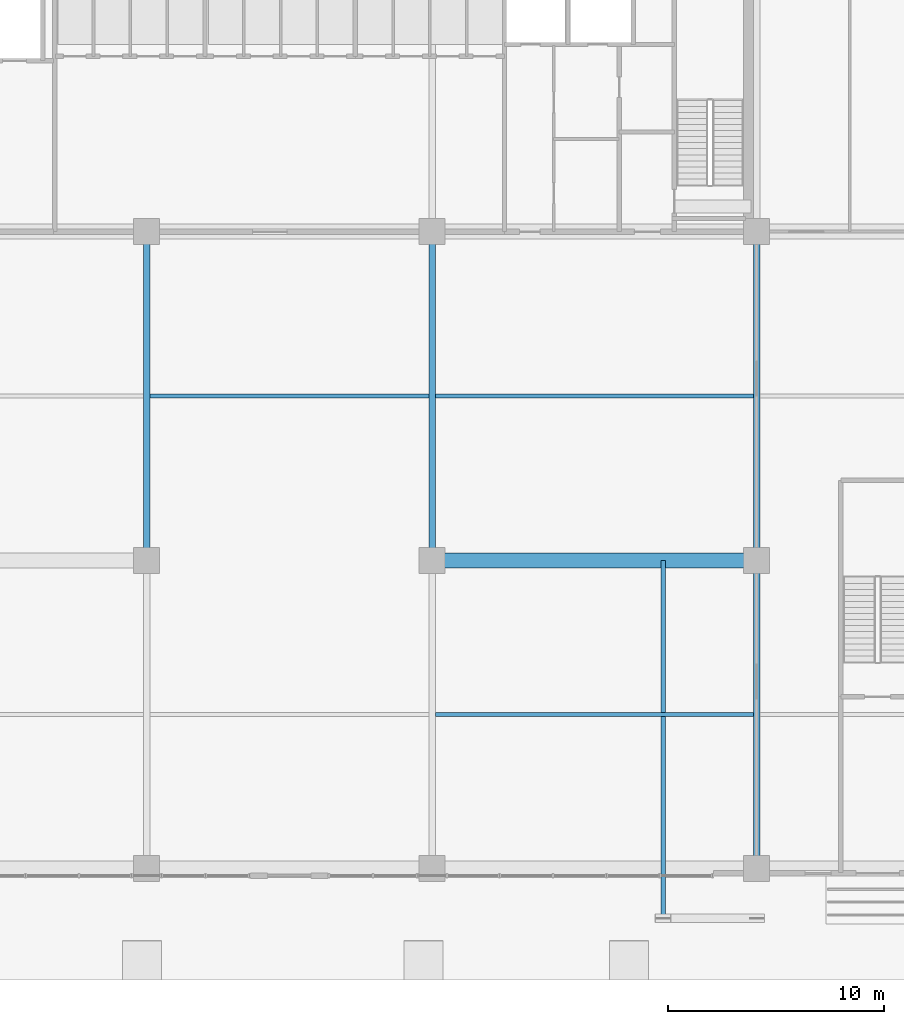
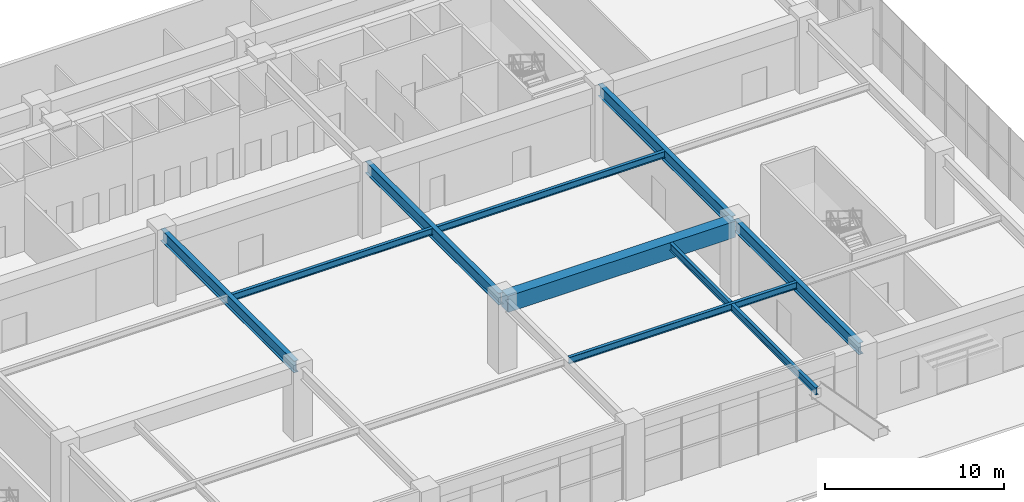
# One storey, part 13 of 40: 9 beams.
"""IFC4 building model written with IfcOpenShell, lengths in metres."""

import ifcopenshell
import ifcopenshell.guid

model = None  # the IFC model being written
_history = None  # IfcOwnerHistory: only IFC2X3 demands one
_inside = {}  # id of a spatial element -> (the spatial element, [elements in it])
_under = {}  # id of a project, library or spatial element -> (it, [spatial elements below it])
_declared = {}  # id of a project -> (the project, [libraries it declares])
_typed = {}  # id of a type object -> (the type object, [elements of that type])
_made_of = {}  # id of a material, layer set ... -> (it, [elements and type objects made of it])


def new_model(schema):
    """Start an empty IFC model of exactly this schema.

    Asked for "IFC4X3", IfcOpenShell would pick the latest addendum, in which some entities
    have other attributes; the version numbers below select the first issue.
    IFC2X3 requires an IfcOwnerHistory on every rooted entity: one is made here for all.
    """
    global model, _history
    if schema == "IFC4X3":
        model = ifcopenshell.file(schema_version=(4, 3, 0, 0))
    else:
        model = ifcopenshell.file(schema=schema)
    _inside.clear()
    _under.clear()
    _declared.clear()
    _typed.clear()
    _made_of.clear()
    _history = None
    if model.schema == "IFC2X3":
        org = make("IfcOrganization", Name="unknown")
        user = make(
            "IfcPersonAndOrganization",
            ThePerson=make("IfcPerson", FamilyName="unknown"),
            TheOrganization=org,
        )
        app = make(
            "IfcApplication",
            ApplicationDeveloper=org,
            Version="unknown",
            ApplicationFullName="unknown",
            ApplicationIdentifier="unknown",
        )
        _history = make(
            "IfcOwnerHistory",
            OwningUser=user,
            OwningApplication=app,
            ChangeAction="ADDED",
            CreationDate=0,
        )
    return model


def make(cls, **values):
    """One entity of the class cls with the attributes given. An attribute that is None is left unset."""
    return model.create_entity(
        cls, **{name: value for name, value in values.items() if value is not None}
    )


def rooted(cls, **values):
    """An entity with a GlobalId (a new one), such as an element, a storey or a relation."""
    return make(cls, GlobalId=ifcopenshell.guid.new(), OwnerHistory=_history, **values)


def si_unit(unit_type, name, prefix=None):
    """IfcSIUnit, for example si_unit("LENGTHUNIT", "METRE", prefix="MILLI")."""
    return make("IfcSIUnit", UnitType=unit_type, Prefix=prefix, Name=name)


def assignment(units):
    """IfcUnitAssignment: the units of a project."""
    return None if units is None else make("IfcUnitAssignment", Units=units)


def point(xyz):
    """IfcCartesianPoint."""
    return None if xyz is None else make("IfcCartesianPoint", Coordinates=xyz)


def direction(xyz):
    """IfcDirection."""
    return None if xyz is None else make("IfcDirection", DirectionRatios=xyz)


def frame(location, z_axis=None, x_axis=None):
    """IfcAxis2Placement3D, a coordinate frame: its origin and axes. An axis left out is left unset."""
    return make(
        "IfcAxis2Placement3D",
        Location=point(location),
        Axis=direction(z_axis),
        RefDirection=direction(x_axis),
    )


def frame_2d(location, x_axis=None):
    """IfcAxis2Placement2D, a coordinate frame in the plane: its origin and x axis."""
    return make(
        "IfcAxis2Placement2D", Location=point(location), RefDirection=direction(x_axis)
    )


def origin():
    """The frame at (0, 0, 0) with its axes left unset."""
    return frame((0.0, 0.0, 0.0))


def origin_2d():
    """The frame at (0, 0) in the plane with its x axis left unset."""
    return frame_2d((0.0, 0.0))


def place(relative_to, where):
    """IfcLocalPlacement: puts the frame where relative to a parent placement (None: the world)."""
    return make(
        "IfcLocalPlacement", PlacementRelTo=relative_to, RelativePlacement=where
    )


def context(
    kind, dimensions, precision=None, world=None, true_north=None, identifier=None
):
    """IfcGeometricRepresentationContext, for example the 3D "Model" context."""
    return make(
        "IfcGeometricRepresentationContext",
        ContextIdentifier=identifier,
        ContextType=kind,
        CoordinateSpaceDimension=dimensions,
        Precision=precision,
        WorldCoordinateSystem=world,
        TrueNorth=true_north,
    )


def subcontext(parent, identifier, kind, view, scale=None):
    """IfcGeometricRepresentationSubContext, for example "Body" below "Model"."""
    return make(
        "IfcGeometricRepresentationSubContext",
        ContextIdentifier=identifier,
        ContextType=kind,
        ParentContext=parent,
        TargetScale=scale,
        TargetView=view,
    )


def project(units=None, contexts=None):
    """IfcProject with its units and contexts."""
    return rooted(
        "IfcProject",
        Name="project",
        RepresentationContexts=contexts,
        UnitsInContext=assignment(units),
    )


def spatial(cls, under=None, at=None, **own):
    """A site, building, storey or space (cls), placed at a placement, below another one or the project."""
    s = rooted(cls, ObjectPlacement=at, **own)
    if under is not None:
        _under.setdefault(under.id(), (under, []))[1].append(s)
    return s


def profile(cls, at=None, kind="AREA", **sizes):
    """A parametric profile (cls). Its sizes go by their IFC names, for example OverallWidth=200.0."""
    return make(cls, ProfileType=kind, Position=at, **sizes)


def rectangle(**sizes):
    """IfcRectangleProfileDef."""
    return profile("IfcRectangleProfileDef", **sizes)


def i_section(**sizes):
    """IfcIShapeProfileDef."""
    return profile("IfcIShapeProfileDef", **sizes)


def extrude(swept, where, along, depth):
    """IfcExtrudedAreaSolid: the profile swept, set in the frame where, extruded along a direction by depth."""
    return make(
        "IfcExtrudedAreaSolid",
        SweptArea=swept,
        Position=where,
        ExtrudedDirection=direction(along),
        Depth=depth,
    )


def shape(context_of_items, identifier, shape_type, items):
    """IfcShapeRepresentation: the items that make up one representation, for example the "Body"."""
    return make(
        "IfcShapeRepresentation",
        ContextOfItems=context_of_items,
        RepresentationIdentifier=identifier,
        RepresentationType=shape_type,
        Items=items,
    )


def source(mapping_origin, context_of_items, identifier, shape_type, items):
    """IfcRepresentationMap: a shape defined once, which mapped items show again and again."""
    return make(
        "IfcRepresentationMap",
        MappingOrigin=mapping_origin,
        MappedRepresentation=shape(context_of_items, identifier, shape_type, items),
    )


def transform(
    local_origin,
    x_axis=None,
    y_axis=None,
    z_axis=None,
    scale=None,
    scale2=None,
    scale3=None,
    uniform=True,
):
    """IfcCartesianTransformationOperator3D, or its non-uniform kind. x_axis, y_axis, z_axis: its Axis1, 2, 3."""
    if uniform:
        return make(
            "IfcCartesianTransformationOperator3D",
            Axis1=direction(x_axis),
            Axis2=direction(y_axis),
            LocalOrigin=point(local_origin),
            Scale=scale,
            Axis3=direction(z_axis),
        )
    return make(
        "IfcCartesianTransformationOperator3DnonUniform",
        Axis1=direction(x_axis),
        Axis2=direction(y_axis),
        LocalOrigin=point(local_origin),
        Scale=scale,
        Axis3=direction(z_axis),
        Scale2=scale2,
        Scale3=scale3,
    )


def mapped(mapping_source, mapping_target):
    """IfcMappedItem: shows the shape of a source again, moved by a transform."""
    return make(
        "IfcMappedItem", MappingSource=mapping_source, MappingTarget=mapping_target
    )


def material(Name=None, Category=None):
    """IfcMaterial."""
    return make("IfcMaterial", Name=Name, Category=Category)


def material_profile(
    of_material, cross_section, Name=None, Category=None, Priority=None
):
    """IfcMaterialProfile: a cross section and its material."""
    return make(
        "IfcMaterialProfile",
        Name=Name,
        Material=of_material,
        Profile=cross_section,
        Priority=Priority,
        Category=Category,
    )


def profile_set(profiles, Name=None, composite=None):
    """IfcMaterialProfileSet."""
    return make(
        "IfcMaterialProfileSet",
        Name=Name,
        MaterialProfiles=profiles,
        CompositeProfile=composite,
    )


def made_of(thing, what):
    """Note that an element or type object is made of a material, layer set ...; save() writes the relation."""
    if what is not None:
        _made_of.setdefault(what.id(), (what, []))[1].append(thing)
    return thing


def type_object(cls, material=None, **own):
    """A type object (cls), such as IfcWallType, which elements share."""
    return made_of(rooted(cls, **own), material)


def element(
    cls,
    number,
    at=None,
    inside=None,
    cuts=None,
    type_object=None,
    material=None,
    context=None,
    identifier="Body",
    shape_type=None,
    held_by="IfcProductDefinitionShape",
    body=None,
    shapes=None,
    **own,
):
    """One element of the class cls, such as IfcWall. Its Tag is "e" and its number.

    at: its placement. inside: the storey or other place that contains it. cuts: it is an
    opening in that element (IfcRelVoidsElement). A single representation is given by context,
    identifier, shape_type and body (its items); several are given by shapes. held_by: the class
    of the entity that holds the representations. save() writes the other relations.
    """
    e = rooted(cls, Tag="e%d" % number, ObjectPlacement=at, **own)
    if body is not None:
        shapes = [shape(context, identifier, shape_type, body)]
    if shapes is not None:
        e.Representation = make(held_by, Representations=shapes)
    if inside is not None:
        _inside.setdefault(inside.id(), (inside, []))[1].append(e)
    if cuts is not None:
        rooted(
            "IfcRelVoidsElement", RelatingBuildingElement=cuts, RelatedOpeningElement=e
        )
    if type_object is not None:
        _typed.setdefault(type_object.id(), (type_object, []))[1].append(e)
    return made_of(e, material)


def aggregate(whole, parts):
    """IfcRelAggregates: a whole, such as a stair, and the parts it consists of."""
    return rooted("IfcRelAggregates", RelatingObject=whole, RelatedObjects=parts)


def save(model, path):
    """Write the relations noted so far, then the file.

    IfcRelAggregates (storeys below a building ...), IfcRelContainedInSpatialStructure (elements
    in a storey), IfcRelDefinesByType, IfcRelAssociatesMaterial and IfcRelDeclares: one each for
    every whole, place, type object, material and project.
    """
    for whole, parts in _under.values():
        aggregate(whole, parts)
    for where, things in _inside.values():
        rooted(
            "IfcRelContainedInSpatialStructure",
            RelatedElements=things,
            RelatingStructure=where,
        )
    for kind, things in _typed.values():
        rooted("IfcRelDefinesByType", RelatedObjects=things, RelatingType=kind)
    for what, things in _made_of.values():
        rooted("IfcRelAssociatesMaterial", RelatedObjects=things, RelatingMaterial=what)
    for by, libraries in _declared.values():
        rooted("IfcRelDeclares", RelatingContext=by, RelatedDefinitions=libraries)
    model.write(path)


model = new_model("IFC4")

# Units and contexts
model_context = context("Model", 3, precision=1e-05, world=origin(), true_north=direction((0.0, 1.0)))
body_context = subcontext(model_context, "Body", "Model", "MODEL_VIEW")
ifc_project = project(units=[si_unit("LENGTHUNIT", "METRE"), si_unit("AREAUNIT", "SQUARE_METRE"), si_unit("VOLUMEUNIT", "CUBIC_METRE"), si_unit("PLANEANGLEUNIT", "RADIAN"), si_unit("MASSUNIT", "GRAM", prefix="KILO")], contexts=[model_context])

# Site, building, storey
site_placement = place(None, origin())
site = spatial("IfcSite", under=ifc_project, at=site_placement, CompositionType="ELEMENT")
building_placement = place(site_placement, origin())
building = spatial("IfcBuilding", under=site, at=building_placement, Name="Trelvane Seafront Commons", CompositionType="ELEMENT")
storey_placement = place(building_placement, origin())
storey = spatial("IfcBuildingStorey", under=building, at=storey_placement, Name="L00", CompositionType="ELEMENT", Elevation=0.0)

# Beams
ifc_material_1 = material(Name="Concrete C50/60", Category="concrete")
ifc_material_profile_1 = material_profile(ifc_material_1, rectangle(XDim=0.699951171875, YDim=1.10009765625, at=origin_2d()), Name="RC-700x1100")
ifc_profile_set_1 = profile_set([ifc_material_profile_1], Name="Concrete C50/60")
beam_type_1 = type_object("IfcBeamType", Name="STR-TBM-RC700x1100", PredefinedType="T_BEAM", material=ifc_profile_set_1)
shared_shape_1 = source(origin(), body_context, "Body", "SweptSolid", [
    extrude(rectangle(XDim=0.699951171875, YDim=1.10009765625, at=origin_2d()), origin(), (0.0, 0.0, 1.0), 14.699951171875),
])
beam_1_placement = place(storey_placement, frame((43.949951171875, 18.199951171875, 4.330078125), z_axis=(1.0, 0.0, 0.0), x_axis=(0.0, 1.0, 0.0)))
element("IfcBeam", 1, at=beam_1_placement, inside=storey, type_object=beam_type_1, Name="L00 Primary Girder G-11", PredefinedType="T_BEAM", context=body_context, shape_type="MappedRepresentation", body=[
    mapped(shared_shape_1, transform((0.0, 0.0, 0.0), x_axis=(1.0, 0.0, 0.0), y_axis=(0.0, 1.0, 0.0), z_axis=(0.0, 0.0, 1.0), scale=1.0)),
])
ifc_material_2 = material(Name="Steel SM355 (S355)", Category="steel")
ifc_material_profile_2 = material_profile(ifc_material_2, i_section(OverallWidth=0.300048828125, OverallDepth=0.800048828125, WebThickness=0.013916015625, FlangeThickness=0.02587890625, at=origin_2d()), Name="H-800x300x14x26")
ifc_profile_set_2 = profile_set([ifc_material_profile_2], Name="Steel SM355 (S355)")
beam_type_2 = type_object("IfcBeamType", Name="STR-BM-H800", PredefinedType="BEAM", material=ifc_profile_set_2)
shared_shape_2 = source(origin(), body_context, "Body", "SweptSolid", [
    extrude(i_section(OverallWidth=0.300048828125, OverallDepth=0.800048828125, WebThickness=0.013916015625, FlangeThickness=0.02587890625, at=origin_2d()), origin(), (0.0, 0.0, 1.0), 13.949951171875),
])
beam_2_placement = place(storey_placement, frame((58.800048828125, 4.10009765625, 4.47998046875), z_axis=(0.0, 1.0, 0.0), x_axis=(-1.0, 0.0, 0.0)))
element("IfcBeam", 2, at=beam_2_placement, inside=storey, type_object=beam_type_2, Name="L00 Primary Girder G-51", PredefinedType="BEAM", context=body_context, shape_type="MappedRepresentation", body=[
    mapped(shared_shape_2, transform((0.0, 0.0, 0.0), x_axis=(1.0, 0.0, 0.0), y_axis=(0.0, 1.0, 0.0), z_axis=(0.0, 0.0, 1.0), scale=1.0)),
])
shared_shape_3 = source(origin(), body_context, "Body", "SweptSolid", [
    extrude(i_section(OverallWidth=0.300048828125, OverallDepth=0.800048828125, WebThickness=0.013916015625, FlangeThickness=0.02587890625, at=origin_2d()), origin(), (0.0, 0.0, 1.0), 14.89990234375),
])
for number, where, z_axis, x_axis, name in (
    (3, (30.60009765625, 18.35009765625, 4.47998046875), (0.0, 1.0, 0.0), (-1.0, 0.0, 0.0), "L00 Primary Girder G-44"),
    (4, (43.800048828125, 18.35009765625, 4.47998046875), (0.0, 1.0, 0.0), (-1.0, 0.0, 0.0), "L00 Primary Girder G-48"),
    (5, (58.800048828125, 18.35009765625, 4.47998046875), (0.0, 1.0, 0.0), (-1.0, 0.0, 0.0), "L00 Primary Girder G-52"),
):
    element("IfcBeam", number, at=place(storey_placement, frame(where, z_axis=z_axis, x_axis=x_axis)), inside=storey, type_object=beam_type_2, Name=name, PredefinedType="BEAM", context=body_context, shape_type="MappedRepresentation", body=[
        mapped(shared_shape_3, transform((0.0, 0.0, 0.0), x_axis=(1.0, 0.0, 0.0), y_axis=(0.0, 1.0, 0.0), z_axis=(0.0, 0.0, 1.0), scale=1.0)),
    ])
ifc_material_profile_3 = material_profile(ifc_material_2, i_section(OverallWidth=0.199951171875, OverallDepth=0.449951171875, WebThickness=0.009033203125, FlangeThickness=0.013916015625, at=origin_2d()), Name="H-450x200x9x14")
ifc_profile_set_3 = profile_set([ifc_material_profile_3], Name="Steel SM355 (S355)")
beam_type_3 = type_object("IfcBeamType", Name="STR-JST-H450", PredefinedType="JOIST", material=ifc_profile_set_3)
shared_shape_4 = source(origin(), body_context, "Body", "SweptSolid", [
    extrude(i_section(OverallWidth=0.199951171875, OverallDepth=0.449951171875, WebThickness=0.009033203125, FlangeThickness=0.013916015625, at=origin_2d()), origin(), (0.0, 0.0, 1.0), 14.699951171875),
])
for number, where, z_axis, x_axis, name in (
    (6, (43.949951171875, 11.074951171875, 4.655029296875), (1.0, 0.0, 0.0), (0.0, 1.0, 0.0), "L00 Secondary Floor Joist B-63"),
    (7, (43.949951171875, 25.800048828125, 4.655029296875), (1.0, 0.0, 0.0), (0.0, 1.0, 0.0), "L00 Secondary Floor Joist B-69"),
):
    element("IfcBeam", number, at=place(storey_placement, frame(where, z_axis=z_axis, x_axis=x_axis)), inside=storey, type_object=beam_type_3, Name=name, PredefinedType="JOIST", context=body_context, shape_type="MappedRepresentation", body=[
        mapped(shared_shape_4, transform((0.0, 0.0, 0.0), x_axis=(1.0, 0.0, 0.0), y_axis=(0.0, 1.0, 0.0), z_axis=(0.0, 0.0, 1.0), scale=1.0)),
    ])
shared_shape_5 = source(origin(), body_context, "Body", "SweptSolid", [
    extrude(i_section(OverallWidth=0.199951171875, OverallDepth=0.449951171875, WebThickness=0.009033203125, FlangeThickness=0.013916015625, at=origin_2d()), origin(), (0.0, 0.0, 1.0), 12.89990234375),
])
beam_3_placement = place(storey_placement, frame((30.75, 25.800048828125, 4.655029296875), z_axis=(1.0, 0.0, 0.0), x_axis=(0.0, 1.0, 0.0)))
element("IfcBeam", 8, at=beam_3_placement, inside=storey, type_object=beam_type_3, Name="L00 Secondary Floor Joist B-68", PredefinedType="JOIST", context=body_context, shape_type="MappedRepresentation", body=[
    mapped(shared_shape_5, transform((0.0, 0.0, 0.0), x_axis=(1.0, 0.0, 0.0), y_axis=(0.0, 1.0, 0.0), z_axis=(0.0, 0.0, 1.0), scale=1.0)),
])
ifc_material_profile_4 = material_profile(ifc_material_2, i_section(OverallWidth=0.199951171875, OverallDepth=0.5, WebThickness=0.010009765625, FlangeThickness=0.01611328125, at=origin_2d()), Name="H-500x200x10x16")
ifc_profile_set_4 = profile_set([ifc_material_profile_4], Name="Steel SM355 (S355)")
beam_type_4 = type_object("IfcBeamType", Name="STR-BM-H500", PredefinedType="BEAM", material=ifc_profile_set_4)
shared_shape_6 = source(origin(), body_context, "Body", "SweptSolid", [
    extrude(i_section(OverallWidth=0.199951171875, OverallDepth=0.5, WebThickness=0.010009765625, FlangeThickness=0.01611328125, at=origin_2d()), origin(), (0.0, 0.0, 1.0), 16.64990234375),
])
beam_4_placement = place(storey_placement, frame((54.47998046875, 18.199951171875, 4.6298828125), z_axis=(0.0, -1.0, 0.0), x_axis=(1.0, 0.0, 0.0)))
element("IfcBeam", 9, at=beam_4_placement, inside=storey, type_object=beam_type_4, Name="L00 Inverted-V Portal Tie Cantilever Girder G-74", PredefinedType="BEAM", context=body_context, shape_type="MappedRepresentation", body=[
    mapped(shared_shape_6, transform((0.0, 0.0, 0.0), x_axis=(1.0, 0.0, 0.0), y_axis=(0.0, 1.0, 0.0), z_axis=(0.0, 0.0, 1.0), scale=1.0)),
])

save(model, "model.ifc")
